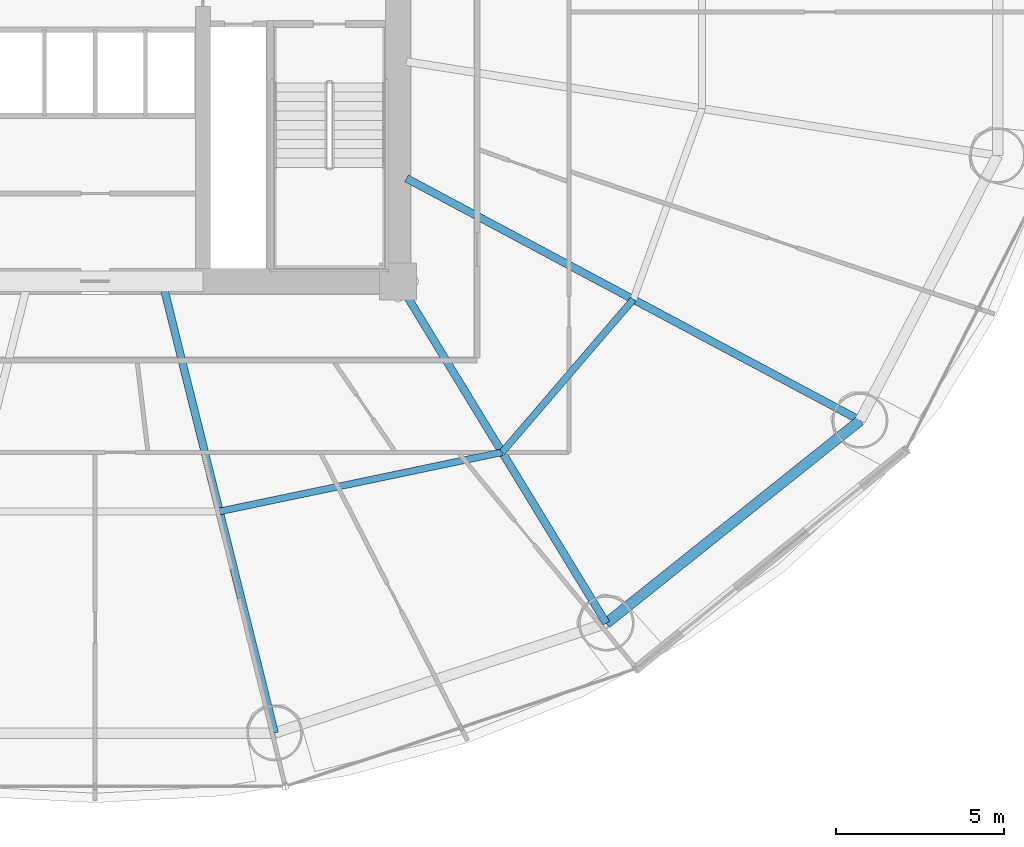
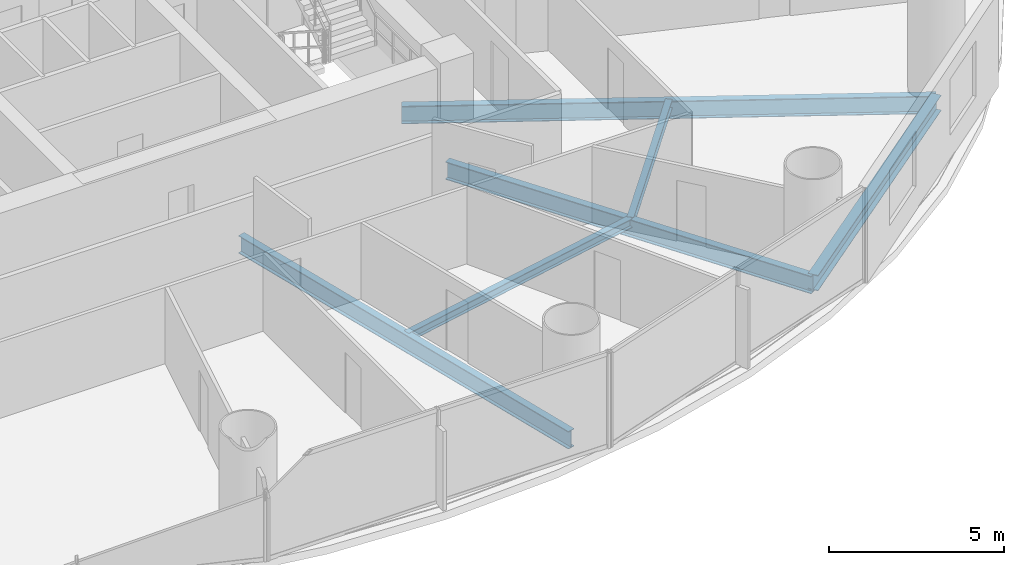
# One storey, part 12 of 30: 6 beams.
"""IFC4 building model written with IfcOpenShell, lengths in metres."""

from ifc_helpers import new_model, si_unit, direction, frame, origin, origin_2d, place, context, subcontext, project, spatial, i_section, extrude, material, material_profile, profile_set, type_object, element, save


model = new_model("IFC4")

# Units and contexts
model_context = context("Model", 3, precision=1e-05, world=origin(), true_north=direction((-0.2419218956, 0.970295726276)))
body_context = subcontext(model_context, "Body", "Model", "MODEL_VIEW")
ifc_project = project(units=[si_unit("LENGTHUNIT", "METRE"), si_unit("AREAUNIT", "SQUARE_METRE"), si_unit("VOLUMEUNIT", "CUBIC_METRE"), si_unit("PLANEANGLEUNIT", "RADIAN"), si_unit("MASSUNIT", "GRAM", prefix="KILO")], contexts=[model_context])

# Site, building, storey
site_placement = place(None, origin())
site = spatial("IfcSite", under=ifc_project, at=site_placement, CompositionType="ELEMENT")
building_placement = place(site_placement, origin())
building = spatial("IfcBuilding", under=site, at=building_placement, Name="Cobrevalo Terracotta Tower", CompositionType="ELEMENT")
storey_placement = place(building_placement, frame((0.0, 0.0, 63.60009765625)))
storey = spatial("IfcBuildingStorey", under=building, at=storey_placement, Name="L16", CompositionType="ELEMENT", Elevation=63.60009765625)

# Beams
ifc_material = material(Name="Steel S355", Category="steel")
ifc_material_profile_1 = material_profile(ifc_material, i_section(OverallWidth=0.22998046875, OverallDepth=0.616943359375, WebThickness=0.01318359375, FlangeThickness=0.022216796875, at=origin_2d()), Name="W 610x140")
ifc_profile_set_1 = profile_set([ifc_material_profile_1], Name="Steel S355")
beam_type_1 = type_object("IfcBeamType", Name="Structural Beam W 610x140 (Steel S355)", PredefinedType="BEAM", material=ifc_profile_set_1)
beam_1_placement = place(storey_placement, frame((43.335693359375, 5.369873046875, -0.588623046875), z_axis=(-0.241600470374, 0.970375810042, 0.0), x_axis=(-0.970375810042, -0.241600470374, 0.0)))
element("IfcBeam", 1, at=beam_1_placement, inside=storey, type_object=beam_type_1, Name="L16 radial floor girder 13", PredefinedType="BEAM", context=body_context, shape_type="SweptSolid", body=[
    extrude(i_section(OverallWidth=0.22998046875, OverallDepth=0.616943359375, WebThickness=0.01318359375, FlangeThickness=0.022216796875, at=origin_2d()), origin(), (0.0, 0.0, 1.0), 13.5771484375),
])
beam_2_placement = place(storey_placement, frame((53.19482421875, 8.63232421875, -0.588623046875), z_axis=(-0.520300780853, 0.853983077961, 0.0), x_axis=(-0.853983077961, -0.520300780853, 0.0)))
element("IfcBeam", 2, at=beam_2_placement, inside=storey, type_object=beam_type_1, Name="L16 radial floor girder 14", PredefinedType="BEAM", context=body_context, shape_type="SweptSolid", body=[
    extrude(i_section(OverallWidth=0.22998046875, OverallDepth=0.616943359375, WebThickness=0.01318359375, FlangeThickness=0.022216796875, at=origin_2d()), origin(), (0.0, 0.0, 1.0), 11.90625),
])
beam_3_placement = place(storey_placement, frame((60.74072265625, 14.660888671875, -0.588623046875), z_axis=(-0.88218223571, 0.470908168329, 0.0), x_axis=(-0.470908168329, -0.88218223571, 0.0)))
element("IfcBeam", 3, at=beam_3_placement, inside=storey, type_object=beam_type_1, Name="L16 radial floor girder 15", PredefinedType="BEAM", context=body_context, shape_type="SweptSolid", body=[
    extrude(i_section(OverallWidth=0.22998046875, OverallDepth=0.616943359375, WebThickness=0.01318359375, FlangeThickness=0.022216796875, at=origin_2d()), origin(), (0.0, 0.0, 1.0), 15.286865234375),
])
ifc_material_profile_2 = material_profile(ifc_material, i_section(OverallWidth=0.2041015625, OverallDepth=0.305908203125, WebThickness=0.008544921875, FlangeThickness=0.0146484375, at=origin_2d()), Name="W 310x67")
ifc_profile_set_2 = profile_set([ifc_material_profile_2], Name="Steel S355")
beam_type_2 = type_object("IfcBeamType", Name="Structural Joist W 310x67 (Steel S355)", PredefinedType="JOIST", material=ifc_profile_set_2)
beam_4_placement = place(storey_placement, frame((41.695556640625, 11.95751953125, -0.43310546875), z_axis=(0.978784523904, 0.204892302848, 0.0), x_axis=(-0.204892302848, 0.978784523904, 0.0)))
element("IfcBeam", 4, at=beam_4_placement, inside=storey, type_object=beam_type_2, Name="L16 circumferential secondary floor joist 13", PredefinedType="JOIST", context=body_context, shape_type="SweptSolid", body=[
    extrude(i_section(OverallWidth=0.2041015625, OverallDepth=0.305908203125, WebThickness=0.008544921875, FlangeThickness=0.0146484375, at=origin_2d()), origin(), (0.0, 0.0, 1.0), 8.583984375),
])
beam_5_placement = place(storey_placement, frame((50.097412109375, 13.71630859375, -0.43310546875), z_axis=(0.651328404454, 0.758795960421, 0.0), x_axis=(-0.758795960421, 0.651328404454, 0.0)))
element("IfcBeam", 5, at=beam_5_placement, inside=storey, type_object=beam_type_2, Name="L16 circumferential secondary floor joist 14", PredefinedType="JOIST", context=body_context, shape_type="SweptSolid", body=[
    extrude(i_section(OverallWidth=0.2041015625, OverallDepth=0.305908203125, WebThickness=0.008544921875, FlangeThickness=0.0146484375, at=origin_2d()), origin(), (0.0, 0.0, 1.0), 5.98828125),
])
ifc_material_profile_3 = material_profile(ifc_material, i_section(OverallWidth=0.31201171875, OverallDepth=0.54296875, WebThickness=0.0126953125, FlangeThickness=0.020263671875, at=origin_2d()), Name="W 530x150")
ifc_profile_set_3 = profile_set([ifc_material_profile_3], Name="Steel S355")
beam_type_3 = type_object("IfcBeamType", Name="Structural Spandrel W 530x150 (Steel S355)", PredefinedType="SPANDREL", material=ifc_profile_set_3)
beam_6_placement = place(storey_placement, frame((53.19482421875, 8.63232421875, -0.551513671875), z_axis=(0.781280479891, 0.62418011162, 0.0), x_axis=(-0.62418011162, 0.781280479891, 0.0)))
element("IfcBeam", 6, at=beam_6_placement, inside=storey, type_object=beam_type_3, Name="L16 perimeter ring spandrel 14", PredefinedType="SPANDREL", context=body_context, shape_type="SweptSolid", body=[
    extrude(i_section(OverallWidth=0.31201171875, OverallDepth=0.54296875, WebThickness=0.0126953125, FlangeThickness=0.020263671875, at=origin_2d()), origin(), (0.0, 0.0, 1.0), 9.658447265625),
])

save(model, "model.ifc")
